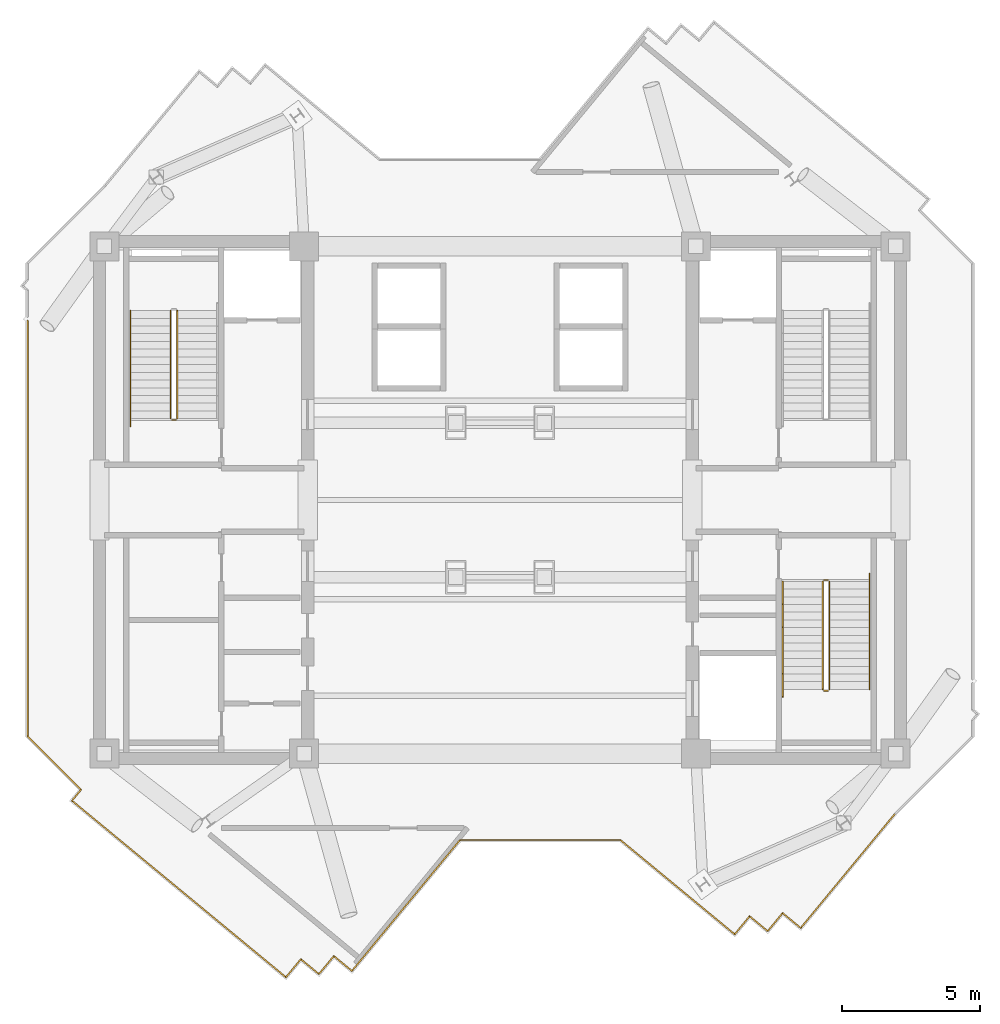
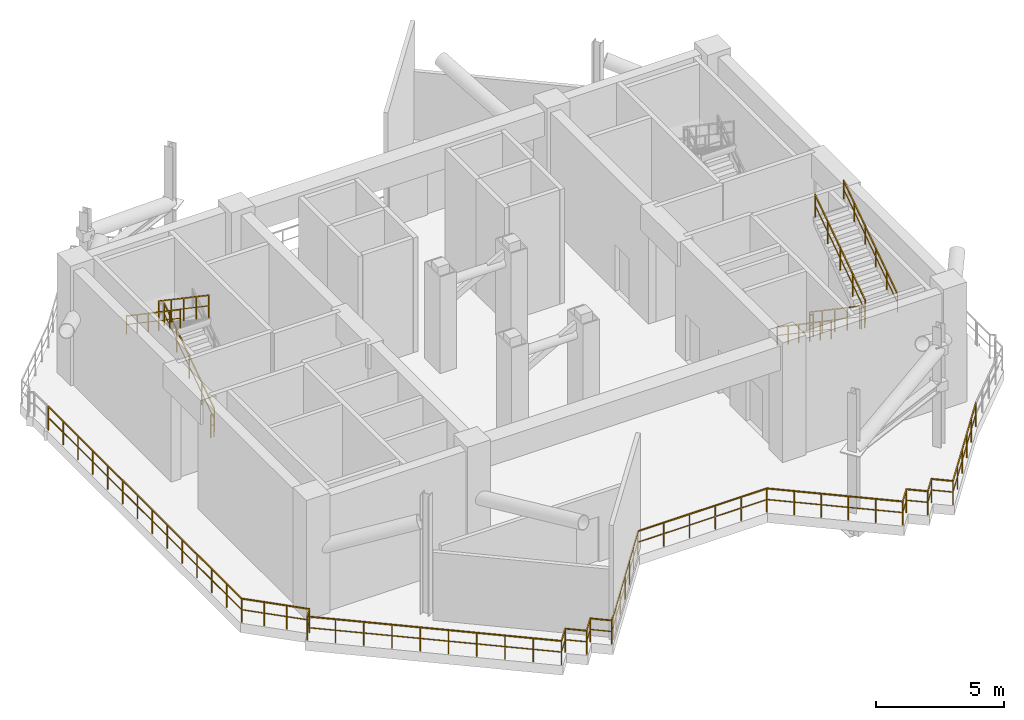
# One storey, part 5 of 7: 26 railings.
"""IFC4 building model written with IfcOpenShell, lengths in metres."""

from ifc_helpers import new_model, si_unit, direction, frame, origin, origin_2d, place, context, subcontext, project, spatial, rectangle, extrude, material, type_object, element, save


model = new_model("IFC4")

# Units and contexts
model_context = context("Model", 3, precision=1e-05, world=origin(), true_north=direction((0.0, 1.0)))
body_context = subcontext(model_context, "Body", "Model", "MODEL_VIEW")
ifc_project = project(units=[si_unit("LENGTHUNIT", "METRE"), si_unit("AREAUNIT", "SQUARE_METRE"), si_unit("VOLUMEUNIT", "CUBIC_METRE"), si_unit("PLANEANGLEUNIT", "RADIAN"), si_unit("MASSUNIT", "GRAM", prefix="KILO")], contexts=[model_context])

# Site, building, storey
site_placement = place(None, origin())
site = spatial("IfcSite", under=ifc_project, at=site_placement, CompositionType="ELEMENT")
building_placement = place(site_placement, origin())
building = spatial("IfcBuilding", under=site, at=building_placement, Name="Zahravan Cultural Tower", CompositionType="ELEMENT")
storey_placement = place(building_placement, frame((0.0, 0.0, 314.10009765625)))
storey = spatial("IfcBuildingStorey", under=building, at=storey_placement, Name="L76", CompositionType="ELEMENT", Elevation=314.10009765625)

# Railings
ifc_material = material(Name="Steel ASTM A572 Grade 50", Category="steel")
railing_type_1 = type_object("IfcRailingType", Name="RL-BAL-1150", PredefinedType="BALUSTRADE", material=ifc_material)
railing_1_placement = place(storey_placement, frame((50.32958984375, 15.628662109375, 0.0)))
element("IfcRailing", 1, at=railing_1_placement, inside=storey, type_object=railing_type_1, Name="L76 Edge Balustrade GRD-L76-SLOT-15", PredefinedType="BALUSTRADE", context=body_context, shape_type="SweptSolid", body=[
    extrude(rectangle(XDim=0.05, YDim=0.05, at=origin_2d()), frame((0.0, 0.0, 1.125), z_axis=(-0.63651320456, -0.771265804, 0.0), x_axis=(0.771265804, -0.63651320456, 0.0)), (0.0, 0.0, 1.0), 5.380859375),
    extrude(rectangle(XDim=0.032, YDim=0.032, at=origin_2d()), frame((0.0, 0.0, 0.597900390625), z_axis=(-0.63651320456, -0.771265804, 0.0), x_axis=(0.771265804, -0.63651320456, 0.0)), (0.0, 0.0, 1.0), 5.380859375),
    extrude(rectangle(XDim=0.04, YDim=0.04, at=origin_2d()), origin(), (0.0, 0.0, 1.0), 1.14990234375),
    extrude(rectangle(XDim=0.04, YDim=0.04, at=origin_2d()), frame((-0.68505859375, -0.830078125, 0.0)), (0.0, 0.0, 1.0), 1.14990234375),
    extrude(rectangle(XDim=0.04, YDim=0.04, at=origin_2d()), frame((-1.3701171875, -1.66015625, 0.0)), (0.0, 0.0, 1.0), 1.14990234375),
    extrude(rectangle(XDim=0.04, YDim=0.04, at=origin_2d()), frame((-2.054931640625, -2.489990234375, 0.0)), (0.0, 0.0, 1.0), 1.14990234375),
    extrude(rectangle(XDim=0.04, YDim=0.04, at=origin_2d()), frame((-2.739990234375, -3.320068359375, 0.0)), (0.0, 0.0, 1.0), 1.14990234375),
    extrude(rectangle(XDim=0.04, YDim=0.04, at=origin_2d()), frame((-3.425048828125, -4.150146484375, 0.0)), (0.0, 0.0, 1.0), 1.14990234375),
])
railing_2_placement = place(storey_placement, frame((46.904541015625, 11.478515625, 0.0)))
element("IfcRailing", 2, at=railing_2_placement, inside=storey, type_object=railing_type_1, Name="L76 Edge Balustrade GRD-L76-SLOT-16", PredefinedType="BALUSTRADE", context=body_context, shape_type="SweptSolid", body=[
    extrude(rectangle(XDim=0.05, YDim=0.05, at=origin_2d()), frame((0.0, 0.0, 1.125), z_axis=(-0.771249884828, 0.6365324934, 0.0), x_axis=(-0.6365324934, -0.771249884828, 0.0)), (0.0, 0.0, 1.0), 0.849853515625),
    extrude(rectangle(XDim=0.032, YDim=0.032, at=origin_2d()), frame((0.0, 0.0, 0.597900390625), z_axis=(-0.771249884828, 0.6365324934, 0.0), x_axis=(-0.6365324934, -0.771249884828, 0.0)), (0.0, 0.0, 1.0), 0.849853515625),
    extrude(rectangle(XDim=0.04, YDim=0.04, at=origin_2d()), origin(), (0.0, 0.0, 1.0), 1.14990234375),
    extrude(rectangle(XDim=0.04, YDim=0.04, at=origin_2d()), frame((-0.655517578125, 0.541015625, 0.0)), (0.0, 0.0, 1.0), 1.14990234375),
])
railing_3_placement = place(storey_placement, frame((46.2490234375, 12.01953125, 0.0)))
element("IfcRailing", 3, at=railing_3_placement, inside=storey, type_object=railing_type_1, Name="L76 Edge Balustrade GRD-L76-SLOT-17", PredefinedType="BALUSTRADE", context=body_context, shape_type="SweptSolid", body=[
    extrude(rectangle(XDim=0.05, YDim=0.05, at=origin_2d()), frame((0.0, 0.0, 1.125), z_axis=(-0.6365324934, -0.771249884828, 0.0), x_axis=(0.771249884828, -0.6365324934, 0.0)), (0.0, 0.0, 1.0), 0.849853515625),
    extrude(rectangle(XDim=0.032, YDim=0.032, at=origin_2d()), frame((0.0, 0.0, 0.597900390625), z_axis=(-0.6365324934, -0.771249884828, 0.0), x_axis=(0.771249884828, -0.6365324934, 0.0)), (0.0, 0.0, 1.0), 0.849853515625),
    extrude(rectangle(XDim=0.04, YDim=0.04, at=origin_2d()), origin(), (0.0, 0.0, 1.0), 1.14990234375),
    extrude(rectangle(XDim=0.04, YDim=0.04, at=origin_2d()), frame((-0.541015625, -0.655517578125, 0.0)), (0.0, 0.0, 1.0), 1.14990234375),
])
railing_4_placement = place(storey_placement, frame((45.7080078125, 11.364013671875, 0.0)))
element("IfcRailing", 4, at=railing_4_placement, inside=storey, type_object=railing_type_1, Name="L76 Edge Balustrade GRD-L76-SLOT-18", PredefinedType="BALUSTRADE", context=body_context, shape_type="SweptSolid", body=[
    extrude(rectangle(XDim=0.05, YDim=0.05, at=origin_2d()), frame((0.0, 0.0, 1.125), z_axis=(-0.771249884828, 0.6365324934, 0.0), x_axis=(-0.6365324934, -0.771249884828, 0.0)), (0.0, 0.0, 1.0), 0.849853515625),
    extrude(rectangle(XDim=0.032, YDim=0.032, at=origin_2d()), frame((0.0, 0.0, 0.597900390625), z_axis=(-0.771249884828, 0.6365324934, 0.0), x_axis=(-0.6365324934, -0.771249884828, 0.0)), (0.0, 0.0, 1.0), 0.849853515625),
    extrude(rectangle(XDim=0.04, YDim=0.04, at=origin_2d()), origin(), (0.0, 0.0, 1.0), 1.14990234375),
    extrude(rectangle(XDim=0.04, YDim=0.04, at=origin_2d()), frame((-0.655517578125, 0.541015625, 0.0)), (0.0, 0.0, 1.0), 1.14990234375),
])
railing_5_placement = place(storey_placement, frame((45.052490234375, 11.905029296875, 0.0)))
element("IfcRailing", 5, at=railing_5_placement, inside=storey, type_object=railing_type_1, Name="L76 Edge Balustrade GRD-L76-SLOT-19", PredefinedType="BALUSTRADE", context=body_context, shape_type="SweptSolid", body=[
    extrude(rectangle(XDim=0.05, YDim=0.05, at=origin_2d()), frame((0.0, 0.0, 1.125), z_axis=(-0.6367033068, -0.771108876301, 0.0), x_axis=(0.771108876301, -0.6367033068, 0.0)), (0.0, 0.0, 1.0), 0.85009765625),
    extrude(rectangle(XDim=0.032, YDim=0.032, at=origin_2d()), frame((0.0, 0.0, 0.597900390625), z_axis=(-0.6367033068, -0.771108876301, 0.0), x_axis=(0.771108876301, -0.6367033068, 0.0)), (0.0, 0.0, 1.0), 0.85009765625),
    extrude(rectangle(XDim=0.04, YDim=0.04, at=origin_2d()), origin(), (0.0, 0.0, 1.0), 1.14990234375),
    extrude(rectangle(XDim=0.04, YDim=0.04, at=origin_2d()), frame((-0.541259765625, -0.655517578125, 0.0)), (0.0, 0.0, 1.0), 1.14990234375),
])
railing_6_placement = place(storey_placement, frame((44.51123046875, 11.24951171875, 0.0)))
element("IfcRailing", 6, at=railing_6_placement, inside=storey, type_object=railing_type_1, Name="L76 Edge Balustrade GRD-L76-SLOT-20", PredefinedType="BALUSTRADE", context=body_context, shape_type="SweptSolid", body=[
    extrude(rectangle(XDim=0.05, YDim=0.05, at=origin_2d()), frame((0.0, 0.0, 1.125), z_axis=(-0.77126621599, 0.63651270535, 0.0), x_axis=(-0.63651270535, -0.77126621599, 0.0)), (0.0, 0.0, 1.0), 5.373779296875),
    extrude(rectangle(XDim=0.032, YDim=0.032, at=origin_2d()), frame((0.0, 0.0, 0.597900390625), z_axis=(-0.77126621599, 0.63651270535, 0.0), x_axis=(-0.63651270535, -0.77126621599, 0.0)), (0.0, 0.0, 1.0), 5.373779296875),
    extrude(rectangle(XDim=0.04, YDim=0.04, at=origin_2d()), origin(), (0.0, 0.0, 1.0), 1.14990234375),
    extrude(rectangle(XDim=0.04, YDim=0.04, at=origin_2d()), frame((-0.828857421875, 0.68408203125, 0.0)), (0.0, 0.0, 1.0), 1.14990234375),
    extrude(rectangle(XDim=0.04, YDim=0.04, at=origin_2d()), frame((-1.65771484375, 1.3681640625, 0.0)), (0.0, 0.0, 1.0), 1.14990234375),
    extrude(rectangle(XDim=0.04, YDim=0.04, at=origin_2d()), frame((-2.48681640625, 2.05224609375, 0.0)), (0.0, 0.0, 1.0), 1.14990234375),
    extrude(rectangle(XDim=0.04, YDim=0.04, at=origin_2d()), frame((-3.315673828125, 2.736328125, 0.0)), (0.0, 0.0, 1.0), 1.14990234375),
    extrude(rectangle(XDim=0.04, YDim=0.04, at=origin_2d()), frame((-4.14453125, 3.42041015625, 0.0)), (0.0, 0.0, 1.0), 1.14990234375),
])
railing_7_placement = place(storey_placement, frame((40.36669921875, 14.669921875, 0.0)))
element("IfcRailing", 7, at=railing_7_placement, inside=storey, type_object=railing_type_1, Name="L76 Edge Balustrade GRD-L76-SLOT-21", PredefinedType="BALUSTRADE", context=body_context, shape_type="SweptSolid", body=[
    extrude(rectangle(XDim=0.05, YDim=0.05, at=origin_2d()), frame((0.0, 0.0, 1.125), z_axis=(-1.0, 0.0, 0.0), x_axis=(0.0, -1.0, 0.0)), (0.0, 0.0, 1.0), 5.81689453125),
    extrude(rectangle(XDim=0.032, YDim=0.032, at=origin_2d()), frame((0.0, 0.0, 0.597900390625), z_axis=(-1.0, 0.0, 0.0), x_axis=(0.0, -1.0, 0.0)), (0.0, 0.0, 1.0), 5.81689453125),
    extrude(rectangle(XDim=0.04, YDim=0.04, at=origin_2d()), origin(), (0.0, 0.0, 1.0), 1.14990234375),
    extrude(rectangle(XDim=0.04, YDim=0.04, at=origin_2d()), frame((-1.163330078125, 0.0, 0.0)), (0.0, 0.0, 1.0), 1.14990234375),
    extrude(rectangle(XDim=0.04, YDim=0.04, at=origin_2d()), frame((-2.32666015625, 0.0, 0.0)), (0.0, 0.0, 1.0), 1.14990234375),
    extrude(rectangle(XDim=0.04, YDim=0.04, at=origin_2d()), frame((-3.490234375, 0.0, 0.0)), (0.0, 0.0, 1.0), 1.14990234375),
    extrude(rectangle(XDim=0.04, YDim=0.04, at=origin_2d()), frame((-4.653564453125, 0.0, 0.0)), (0.0, 0.0, 1.0), 1.14990234375),
    extrude(rectangle(XDim=0.04, YDim=0.04, at=origin_2d()), frame((-5.81689453125, 0.0, 0.0)), (0.0, 0.0, 1.0), 1.14990234375),
])
railing_8_placement = place(storey_placement, frame((34.5498046875, 14.669921875, 0.0)))
element("IfcRailing", 8, at=railing_8_placement, inside=storey, type_object=railing_type_1, Name="L76 Edge Balustrade GRD-L76-SLOT-22", PredefinedType="BALUSTRADE", context=body_context, shape_type="SweptSolid", body=[
    extrude(rectangle(XDim=0.05, YDim=0.05, at=origin_2d()), frame((0.0, 0.0, 1.125), z_axis=(-0.636503268707, -0.771274003792, 0.0), x_axis=(0.771274003792, -0.636503268707, 0.0)), (0.0, 0.0, 1.0), 6.157470703125),
    extrude(rectangle(XDim=0.032, YDim=0.032, at=origin_2d()), frame((0.0, 0.0, 0.597900390625), z_axis=(-0.636503268707, -0.771274003792, 0.0), x_axis=(0.771274003792, -0.636503268707, 0.0)), (0.0, 0.0, 1.0), 6.157470703125),
    extrude(rectangle(XDim=0.04, YDim=0.04, at=origin_2d()), origin(), (0.0, 0.0, 1.0), 1.14990234375),
    extrude(rectangle(XDim=0.04, YDim=0.04, at=origin_2d()), frame((-0.6533203125, -0.79150390625, 0.0)), (0.0, 0.0, 1.0), 1.14990234375),
    extrude(rectangle(XDim=0.04, YDim=0.04, at=origin_2d()), frame((-1.306396484375, -1.5830078125, 0.0)), (0.0, 0.0, 1.0), 1.14990234375),
    extrude(rectangle(XDim=0.04, YDim=0.04, at=origin_2d()), frame((-1.95947265625, -2.37451171875, 0.0)), (0.0, 0.0, 1.0), 1.14990234375),
    extrude(rectangle(XDim=0.04, YDim=0.04, at=origin_2d()), frame((-2.61279296875, -3.166015625, 0.0)), (0.0, 0.0, 1.0), 1.14990234375),
    extrude(rectangle(XDim=0.04, YDim=0.04, at=origin_2d()), frame((-3.26611328125, -3.95751953125, 0.0)), (0.0, 0.0, 1.0), 1.14990234375),
    extrude(rectangle(XDim=0.04, YDim=0.04, at=origin_2d()), frame((-3.919189453125, -4.7490234375, 0.0)), (0.0, 0.0, 1.0), 1.14990234375),
])
railing_9_placement = place(storey_placement, frame((30.630615234375, 9.9208984375, 0.0)))
element("IfcRailing", 9, at=railing_9_placement, inside=storey, type_object=railing_type_1, Name="L76 Edge Balustrade GRD-L76-SLOT-23", PredefinedType="BALUSTRADE", context=body_context, shape_type="SweptSolid", body=[
    extrude(rectangle(XDim=0.05, YDim=0.05, at=origin_2d()), frame((0.0, 0.0, 1.125), z_axis=(-0.771108876301, 0.6367033068, 0.0), x_axis=(-0.6367033068, -0.771108876301, 0.0)), (0.0, 0.0, 1.0), 0.85009765625),
    extrude(rectangle(XDim=0.032, YDim=0.032, at=origin_2d()), frame((0.0, 0.0, 0.597900390625), z_axis=(-0.771108876301, 0.6367033068, 0.0), x_axis=(-0.6367033068, -0.771108876301, 0.0)), (0.0, 0.0, 1.0), 0.85009765625),
    extrude(rectangle(XDim=0.04, YDim=0.04, at=origin_2d()), origin(), (0.0, 0.0, 1.0), 1.14990234375),
    extrude(rectangle(XDim=0.04, YDim=0.04, at=origin_2d()), frame((-0.655517578125, 0.541259765625, 0.0)), (0.0, 0.0, 1.0), 1.14990234375),
])
railing_10_placement = place(storey_placement, frame((29.97509765625, 10.462158203125, 0.0)))
element("IfcRailing", 10, at=railing_10_placement, inside=storey, type_object=railing_type_1, Name="L76 Edge Balustrade GRD-L76-SLOT-24", PredefinedType="BALUSTRADE", context=body_context, shape_type="SweptSolid", body=[
    extrude(rectangle(XDim=0.05, YDim=0.05, at=origin_2d()), frame((0.0, 0.0, 1.125), z_axis=(-0.63639149861, -0.771366229814, 0.0), x_axis=(0.771366229814, -0.63639149861, 0.0)), (0.0, 0.0, 1.0), 0.85009765625),
    extrude(rectangle(XDim=0.032, YDim=0.032, at=origin_2d()), frame((0.0, 0.0, 0.597900390625), z_axis=(-0.63639149861, -0.771366229814, 0.0), x_axis=(0.771366229814, -0.63639149861, 0.0)), (0.0, 0.0, 1.0), 0.85009765625),
    extrude(rectangle(XDim=0.04, YDim=0.04, at=origin_2d()), origin(), (0.0, 0.0, 1.0), 1.14990234375),
    extrude(rectangle(XDim=0.04, YDim=0.04, at=origin_2d()), frame((-0.541015625, -0.65576171875, 0.0)), (0.0, 0.0, 1.0), 1.14990234375),
])
railing_11_placement = place(storey_placement, frame((29.43408203125, 9.806396484375, 0.0)))
element("IfcRailing", 11, at=railing_11_placement, inside=storey, type_object=railing_type_1, Name="L76 Edge Balustrade GRD-L76-SLOT-25", PredefinedType="BALUSTRADE", context=body_context, shape_type="SweptSolid", body=[
    extrude(rectangle(XDim=0.05, YDim=0.05, at=origin_2d()), frame((0.0, 0.0, 1.125), z_axis=(-0.771366229814, 0.63639149861, 0.0), x_axis=(-0.63639149861, -0.771366229814, 0.0)), (0.0, 0.0, 1.0), 0.85009765625),
    extrude(rectangle(XDim=0.032, YDim=0.032, at=origin_2d()), frame((0.0, 0.0, 0.597900390625), z_axis=(-0.771366229814, 0.63639149861, 0.0), x_axis=(-0.63639149861, -0.771366229814, 0.0)), (0.0, 0.0, 1.0), 0.85009765625),
    extrude(rectangle(XDim=0.04, YDim=0.04, at=origin_2d()), origin(), (0.0, 0.0, 1.0), 1.14990234375),
    extrude(rectangle(XDim=0.04, YDim=0.04, at=origin_2d()), frame((-0.65576171875, 0.541015625, 0.0)), (0.0, 0.0, 1.0), 1.14990234375),
])
railing_12_placement = place(storey_placement, frame((28.7783203125, 10.347412109375, 0.0)))
element("IfcRailing", 12, at=railing_12_placement, inside=storey, type_object=railing_type_1, Name="L76 Edge Balustrade GRD-L76-SLOT-26", PredefinedType="BALUSTRADE", context=body_context, shape_type="SweptSolid", body=[
    extrude(rectangle(XDim=0.05, YDim=0.05, at=origin_2d()), frame((0.0, 0.0, 1.125), z_axis=(-0.6365324934, -0.771249884828, 0.0), x_axis=(0.771249884828, -0.6365324934, 0.0)), (0.0, 0.0, 1.0), 0.849853515625),
    extrude(rectangle(XDim=0.032, YDim=0.032, at=origin_2d()), frame((0.0, 0.0, 0.597900390625), z_axis=(-0.6365324934, -0.771249884828, 0.0), x_axis=(0.771249884828, -0.6365324934, 0.0)), (0.0, 0.0, 1.0), 0.849853515625),
    extrude(rectangle(XDim=0.04, YDim=0.04, at=origin_2d()), origin(), (0.0, 0.0, 1.0), 1.14990234375),
    extrude(rectangle(XDim=0.04, YDim=0.04, at=origin_2d()), frame((-0.541015625, -0.655517578125, 0.0)), (0.0, 0.0, 1.0), 1.14990234375),
])
railing_13_placement = place(storey_placement, frame((28.2373046875, 9.69189453125, 0.0)))
element("IfcRailing", 13, at=railing_13_placement, inside=storey, type_object=railing_type_1, Name="L76 Edge Balustrade GRD-L76-SLOT-27", PredefinedType="BALUSTRADE", context=body_context, shape_type="SweptSolid", body=[
    extrude(rectangle(XDim=0.05, YDim=0.05, at=origin_2d()), frame((0.0, 0.0, 1.125), z_axis=(-0.771248176492, 0.636534563286, 0.0), x_axis=(-0.636534563286, -0.771248176492, 0.0)), (0.0, 0.0, 1.0), 10.06005859375),
    extrude(rectangle(XDim=0.032, YDim=0.032, at=origin_2d()), frame((0.0, 0.0, 0.597900390625), z_axis=(-0.771248176492, 0.636534563286, 0.0), x_axis=(-0.636534563286, -0.771248176492, 0.0)), (0.0, 0.0, 1.0), 10.06005859375),
    extrude(rectangle(XDim=0.04, YDim=0.04, at=origin_2d()), origin(), (0.0, 0.0, 1.0), 1.14990234375),
    extrude(rectangle(XDim=0.04, YDim=0.04, at=origin_2d()), frame((-0.862060546875, 0.71142578125, 0.0)), (0.0, 0.0, 1.0), 1.14990234375),
    extrude(rectangle(XDim=0.04, YDim=0.04, at=origin_2d()), frame((-1.72412109375, 1.423095703125, 0.0)), (0.0, 0.0, 1.0), 1.14990234375),
    extrude(rectangle(XDim=0.04, YDim=0.04, at=origin_2d()), frame((-2.586181640625, 2.134521484375, 0.0)), (0.0, 0.0, 1.0), 1.14990234375),
    extrude(rectangle(XDim=0.04, YDim=0.04, at=origin_2d()), frame((-3.4482421875, 2.845947265625, 0.0)), (0.0, 0.0, 1.0), 1.14990234375),
    extrude(rectangle(XDim=0.04, YDim=0.04, at=origin_2d()), frame((-4.310546875, 3.5576171875, 0.0)), (0.0, 0.0, 1.0), 1.14990234375),
    extrude(rectangle(XDim=0.04, YDim=0.04, at=origin_2d()), frame((-5.172607421875, 4.26904296875, 0.0)), (0.0, 0.0, 1.0), 1.14990234375),
    extrude(rectangle(XDim=0.04, YDim=0.04, at=origin_2d()), frame((-6.03466796875, 4.98046875, 0.0)), (0.0, 0.0, 1.0), 1.14990234375),
    extrude(rectangle(XDim=0.04, YDim=0.04, at=origin_2d()), frame((-6.896728515625, 5.692138671875, 0.0)), (0.0, 0.0, 1.0), 1.14990234375),
    extrude(rectangle(XDim=0.04, YDim=0.04, at=origin_2d()), frame((-7.7587890625, 6.403564453125, 0.0)), (0.0, 0.0, 1.0), 1.14990234375),
])
railing_14_placement = place(storey_placement, frame((20.478515625, 16.095458984375, 0.0)))
element("IfcRailing", 14, at=railing_14_placement, inside=storey, type_object=railing_type_1, Name="L76 Edge Balustrade GRD-L76-SLOT-28", PredefinedType="BALUSTRADE", context=body_context, shape_type="SweptSolid", body=[
    extrude(rectangle(XDim=0.05, YDim=0.05, at=origin_2d()), frame((0.0, 0.0, 1.125), z_axis=(0.636587411676, 0.771204556066, 0.0), x_axis=(-0.771204556066, 0.636587411676, 0.0)), (0.0, 0.0, 1.0), 0.51513671875),
    extrude(rectangle(XDim=0.032, YDim=0.032, at=origin_2d()), frame((0.0, 0.0, 0.597900390625), z_axis=(0.636587411676, 0.771204556066, 0.0), x_axis=(-0.771204556066, 0.636587411676, 0.0)), (0.0, 0.0, 1.0), 0.51513671875),
    extrude(rectangle(XDim=0.04, YDim=0.04, at=origin_2d()), origin(), (0.0, 0.0, 1.0), 1.14990234375),
    extrude(rectangle(XDim=0.04, YDim=0.04, at=origin_2d()), frame((0.327880859375, 0.397216796875, 0.0)), (0.0, 0.0, 1.0), 1.14990234375),
])
railing_15_placement = place(storey_placement, frame((20.806396484375, 16.49267578125, 0.0)))
element("IfcRailing", 15, at=railing_15_placement, inside=storey, type_object=railing_type_1, Name="L76 Edge Balustrade GRD-L76-SLOT-29", PredefinedType="BALUSTRADE", context=body_context, shape_type="SweptSolid", body=[
    extrude(rectangle(XDim=0.05, YDim=0.05, at=origin_2d()), frame((0.0, 0.0, 1.125), z_axis=(-0.707106781187, 0.707106781187, 0.0), x_axis=(-0.707106781187, -0.707106781187, 0.0)), (0.0, 0.0, 1.0), 2.73828125),
    extrude(rectangle(XDim=0.032, YDim=0.032, at=origin_2d()), frame((0.0, 0.0, 0.597900390625), z_axis=(-0.707106781187, 0.707106781187, 0.0), x_axis=(-0.707106781187, -0.707106781187, 0.0)), (0.0, 0.0, 1.0), 2.73828125),
    extrude(rectangle(XDim=0.04, YDim=0.04, at=origin_2d()), origin(), (0.0, 0.0, 1.0), 1.14990234375),
    extrude(rectangle(XDim=0.04, YDim=0.04, at=origin_2d()), frame((-0.6455078125, 0.6455078125, 0.0)), (0.0, 0.0, 1.0), 1.14990234375),
    extrude(rectangle(XDim=0.04, YDim=0.04, at=origin_2d()), frame((-1.290771484375, 1.290771484375, 0.0)), (0.0, 0.0, 1.0), 1.14990234375),
    extrude(rectangle(XDim=0.04, YDim=0.04, at=origin_2d()), frame((-1.936279296875, 1.936279296875, 0.0)), (0.0, 0.0, 1.0), 1.14990234375),
])
railing_16_placement = place(storey_placement, frame((18.8701171875, 18.428955078125, 0.0)))
element("IfcRailing", 16, at=railing_16_placement, inside=storey, type_object=railing_type_1, Name="L76 Edge Balustrade GRD-L76-SLOT-30", PredefinedType="BALUSTRADE", context=body_context, shape_type="SweptSolid", body=[
    extrude(rectangle(XDim=0.05, YDim=0.05, at=origin_2d()), frame((0.0, 0.0, 1.125), z_axis=(0.0, 1.0, 0.0), x_axis=(-1.0, 0.0, 0.0)), (0.0, 0.0, 1.0), 15.084716796875),
    extrude(rectangle(XDim=0.032, YDim=0.032, at=origin_2d()), frame((0.0, 0.0, 0.597900390625), z_axis=(0.0, 1.0, 0.0), x_axis=(-1.0, 0.0, 0.0)), (0.0, 0.0, 1.0), 15.084716796875),
    extrude(rectangle(XDim=0.04, YDim=0.04, at=origin_2d()), origin(), (0.0, 0.0, 1.0), 1.14990234375),
    extrude(rectangle(XDim=0.04, YDim=0.04, at=origin_2d()), frame((0.0, 1.160400390625, 0.0)), (0.0, 0.0, 1.0), 1.14990234375),
    extrude(rectangle(XDim=0.04, YDim=0.04, at=origin_2d()), frame((0.0, 2.32080078125, 0.0)), (0.0, 0.0, 1.0), 1.14990234375),
    extrude(rectangle(XDim=0.04, YDim=0.04, at=origin_2d()), frame((0.0, 3.481201171875, 0.0)), (0.0, 0.0, 1.0), 1.14990234375),
    extrude(rectangle(XDim=0.04, YDim=0.04, at=origin_2d()), frame((0.0, 4.641357421875, 0.0)), (0.0, 0.0, 1.0), 1.14990234375),
    extrude(rectangle(XDim=0.04, YDim=0.04, at=origin_2d()), frame((0.0, 5.8017578125, 0.0)), (0.0, 0.0, 1.0), 1.14990234375),
    extrude(rectangle(XDim=0.04, YDim=0.04, at=origin_2d()), frame((0.0, 6.962158203125, 0.0)), (0.0, 0.0, 1.0), 1.14990234375),
    extrude(rectangle(XDim=0.04, YDim=0.04, at=origin_2d()), frame((0.0, 8.12255859375, 0.0)), (0.0, 0.0, 1.0), 1.14990234375),
    extrude(rectangle(XDim=0.04, YDim=0.04, at=origin_2d()), frame((0.0, 9.282958984375, 0.0)), (0.0, 0.0, 1.0), 1.14990234375),
    extrude(rectangle(XDim=0.04, YDim=0.04, at=origin_2d()), frame((0.0, 10.443359375, 0.0)), (0.0, 0.0, 1.0), 1.14990234375),
    extrude(rectangle(XDim=0.04, YDim=0.04, at=origin_2d()), frame((0.0, 11.603515625, 0.0)), (0.0, 0.0, 1.0), 1.14990234375),
    extrude(rectangle(XDim=0.04, YDim=0.04, at=origin_2d()), frame((0.0, 12.763916015625, 0.0)), (0.0, 0.0, 1.0), 1.14990234375),
    extrude(rectangle(XDim=0.04, YDim=0.04, at=origin_2d()), frame((0.0, 13.92431640625, 0.0)), (0.0, 0.0, 1.0), 1.14990234375),
    extrude(rectangle(XDim=0.04, YDim=0.04, at=origin_2d()), frame((0.0, 15.084716796875, 0.0)), (0.0, 0.0, 1.0), 1.14990234375),
])
railing_type_2 = type_object("IfcRailingType", Name="RL-STAIR-GRD1150", PredefinedType="BALUSTRADE", material=ifc_material)
railing_17_placement = place(storey_placement, frame((24.300048828125, 29.949951171875, 0.18994140625)))
element("IfcRailing", 17, at=railing_17_placement, inside=storey, type_object=railing_type_2, Name="L76 ST-W1 stair guard 1", PredefinedType="BALUSTRADE", context=body_context, shape_type="SweptSolid", body=[
    extrude(rectangle(XDim=0.05, YDim=0.05, at=origin_2d()), frame((0.0, 0.0, 1.0751953125), z_axis=(0.0, 0.827495442652, 0.56147243244), x_axis=(-1.0, 0.0, 0.0)), (0.0, 0.0, 1.0), 4.7373046875),
    extrude(rectangle(XDim=0.032, YDim=0.032, at=origin_2d()), frame((0.0, 0.0, 0.572021484375), z_axis=(0.0, 0.827495442652, 0.56147243244), x_axis=(-1.0, 0.0, 0.0)), (0.0, 0.0, 1.0), 4.7373046875),
    extrude(rectangle(XDim=0.04, YDim=0.04, at=origin_2d()), origin(), (0.0, 0.0, 1.0), 1.10009765625),
    extrude(rectangle(XDim=0.04, YDim=0.04, at=origin_2d()), frame((0.0, 0.97998046875, 0.6650390625)), (0.0, 0.0, 1.0), 1.10009765625),
    extrude(rectangle(XDim=0.04, YDim=0.04, at=origin_2d()), frame((0.0, 1.9599609375, 1.330078125)), (0.0, 0.0, 1.0), 1.10009765625),
    extrude(rectangle(XDim=0.04, YDim=0.04, at=origin_2d()), frame((0.0, 2.940185546875, 1.994873046875)), (0.0, 0.0, 1.0), 1.10009765625),
    extrude(rectangle(XDim=0.04, YDim=0.04, at=origin_2d()), frame((0.0, 3.920166015625, 2.659912109375)), (0.0, 0.0, 1.0), 1.10009765625),
])
railing_18_placement = place(storey_placement, frame((24.050048828125, 33.8701171875, 3.039794921875)))
element("IfcRailing", 18, at=railing_18_placement, inside=storey, type_object=railing_type_2, Name="L76 ST-W1 stair guard 3", PredefinedType="BALUSTRADE", context=body_context, shape_type="SweptSolid", body=[
    extrude(rectangle(XDim=0.05, YDim=0.05, at=origin_2d()), frame((0.0, 0.0, 1.0751953125), z_axis=(0.0, -0.827471498672, 0.561507719346), x_axis=(1.0, 0.0, 0.0)), (0.0, 0.0, 1.0), 4.737548828125),
    extrude(rectangle(XDim=0.032, YDim=0.032, at=origin_2d()), frame((0.0, 0.0, 0.572021484375), z_axis=(0.0, -0.827471498672, 0.561507719346), x_axis=(1.0, 0.0, 0.0)), (0.0, 0.0, 1.0), 4.737548828125),
    extrude(rectangle(XDim=0.04, YDim=0.04, at=origin_2d()), origin(), (0.0, 0.0, 1.0), 1.10009765625),
    extrude(rectangle(XDim=0.04, YDim=0.04, at=origin_2d()), frame((0.0, -0.97998046875, 0.6650390625)), (0.0, 0.0, 1.0), 1.10009765625),
    extrude(rectangle(XDim=0.04, YDim=0.04, at=origin_2d()), frame((0.0, -1.9599609375, 1.330078125)), (0.0, 0.0, 1.0), 1.10009765625),
    extrude(rectangle(XDim=0.04, YDim=0.04, at=origin_2d()), frame((0.0, -2.940185546875, 1.9951171875)), (0.0, 0.0, 1.0), 1.10009765625),
    extrude(rectangle(XDim=0.04, YDim=0.04, at=origin_2d()), frame((0.0, -3.920166015625, 2.66015625)), (0.0, 0.0, 1.0), 1.10009765625),
])
railing_19_placement = place(storey_placement, frame((24.25, 29.89990234375, 0.0)))
element("IfcRailing", 19, at=railing_19_placement, inside=storey, type_object=railing_type_2, Name="L76 ST-W1 stair guard 4", PredefinedType="BALUSTRADE", context=body_context, shape_type="SweptSolid", body=[
    extrude(rectangle(XDim=0.05, YDim=0.05, at=origin_2d()), frame((0.0, 0.0, 1.0751953125), z_axis=(-1.0, 0.0, 0.0), x_axis=(0.0, -1.0, 0.0)), (0.0, 0.0, 1.0), 0.14990234375),
    extrude(rectangle(XDim=0.032, YDim=0.032, at=origin_2d()), frame((0.0, 0.0, 0.572021484375), z_axis=(-1.0, 0.0, 0.0), x_axis=(0.0, -1.0, 0.0)), (0.0, 0.0, 1.0), 0.14990234375),
    extrude(rectangle(XDim=0.04, YDim=0.04, at=origin_2d()), origin(), (0.0, 0.0, 1.0), 1.10009765625),
    extrude(rectangle(XDim=0.04, YDim=0.04, at=origin_2d()), frame((-0.14990234375, 0.0, 0.0)), (0.0, 0.0, 1.0), 1.10009765625),
])
railing_20_placement = place(storey_placement, frame((47.699951171875, 24.050048828125, 0.18994140625)))
element("IfcRailing", 20, at=railing_20_placement, inside=storey, type_object=railing_type_2, Name="L76 ST-E2 stair guard 1", PredefinedType="BALUSTRADE", context=body_context, shape_type="SweptSolid", body=[
    extrude(rectangle(XDim=0.05, YDim=0.05, at=origin_2d()), frame((0.0, 0.0, 1.0751953125), z_axis=(0.0, -0.827495442652, 0.56147243244), x_axis=(1.0, 0.0, 0.0)), (0.0, 0.0, 1.0), 4.7373046875),
    extrude(rectangle(XDim=0.032, YDim=0.032, at=origin_2d()), frame((0.0, 0.0, 0.572021484375), z_axis=(0.0, -0.827495442652, 0.56147243244), x_axis=(1.0, 0.0, 0.0)), (0.0, 0.0, 1.0), 4.7373046875),
    extrude(rectangle(XDim=0.04, YDim=0.04, at=origin_2d()), origin(), (0.0, 0.0, 1.0), 1.10009765625),
    extrude(rectangle(XDim=0.04, YDim=0.04, at=origin_2d()), frame((0.0, -0.97998046875, 0.6650390625)), (0.0, 0.0, 1.0), 1.10009765625),
    extrude(rectangle(XDim=0.04, YDim=0.04, at=origin_2d()), frame((0.0, -1.9599609375, 1.330078125)), (0.0, 0.0, 1.0), 1.10009765625),
    extrude(rectangle(XDim=0.04, YDim=0.04, at=origin_2d()), frame((0.0, -2.940185546875, 1.994873046875)), (0.0, 0.0, 1.0), 1.10009765625),
    extrude(rectangle(XDim=0.04, YDim=0.04, at=origin_2d()), frame((0.0, -3.920166015625, 2.659912109375)), (0.0, 0.0, 1.0), 1.10009765625),
])
railing_21_placement = place(storey_placement, frame((47.75, 20.080078125, 2.849853515625)))
element("IfcRailing", 21, at=railing_21_placement, inside=storey, type_object=railing_type_2, Name="L76 ST-E2 stair guard 2", PredefinedType="BALUSTRADE", context=body_context, shape_type="SweptSolid", body=[
    extrude(rectangle(XDim=0.05, YDim=0.05, at=origin_2d()), frame((0.0, 0.0, 1.0751953125), z_axis=(1.0, 0.0, 0.0), x_axis=(0.0, 1.0, 0.0)), (0.0, 0.0, 1.0), 0.14990234375),
    extrude(rectangle(XDim=0.032, YDim=0.032, at=origin_2d()), frame((0.0, 0.0, 0.572021484375), z_axis=(1.0, 0.0, 0.0), x_axis=(0.0, 1.0, 0.0)), (0.0, 0.0, 1.0), 0.14990234375),
    extrude(rectangle(XDim=0.04, YDim=0.04, at=origin_2d()), origin(), (0.0, 0.0, 1.0), 1.10009765625),
    extrude(rectangle(XDim=0.04, YDim=0.04, at=origin_2d()), frame((0.14990234375, 0.0, 0.0)), (0.0, 0.0, 1.0), 1.10009765625),
])
railing_22_placement = place(storey_placement, frame((47.949951171875, 20.1298828125, 3.039794921875)))
element("IfcRailing", 22, at=railing_22_placement, inside=storey, type_object=railing_type_2, Name="L76 ST-E2 stair guard 3", PredefinedType="BALUSTRADE", context=body_context, shape_type="SweptSolid", body=[
    extrude(rectangle(XDim=0.05, YDim=0.05, at=origin_2d()), frame((0.0, 0.0, 1.0751953125), z_axis=(0.0, 0.827471498672, 0.561507719346), x_axis=(-1.0, 0.0, 0.0)), (0.0, 0.0, 1.0), 4.737548828125),
    extrude(rectangle(XDim=0.032, YDim=0.032, at=origin_2d()), frame((0.0, 0.0, 0.572021484375), z_axis=(0.0, 0.827471498672, 0.561507719346), x_axis=(-1.0, 0.0, 0.0)), (0.0, 0.0, 1.0), 4.737548828125),
    extrude(rectangle(XDim=0.04, YDim=0.04, at=origin_2d()), origin(), (0.0, 0.0, 1.0), 1.10009765625),
    extrude(rectangle(XDim=0.04, YDim=0.04, at=origin_2d()), frame((0.0, 0.97998046875, 0.6650390625)), (0.0, 0.0, 1.0), 1.10009765625),
    extrude(rectangle(XDim=0.04, YDim=0.04, at=origin_2d()), frame((0.0, 1.9599609375, 1.330078125)), (0.0, 0.0, 1.0), 1.10009765625),
    extrude(rectangle(XDim=0.04, YDim=0.04, at=origin_2d()), frame((0.0, 2.940185546875, 1.9951171875)), (0.0, 0.0, 1.0), 1.10009765625),
    extrude(rectangle(XDim=0.04, YDim=0.04, at=origin_2d()), frame((0.0, 3.920166015625, 2.66015625)), (0.0, 0.0, 1.0), 1.10009765625),
])
railing_23_placement = place(storey_placement, frame((47.75, 24.10009765625, 0.0)))
element("IfcRailing", 23, at=railing_23_placement, inside=storey, type_object=railing_type_2, Name="L76 ST-E2 stair guard 4", PredefinedType="BALUSTRADE", context=body_context, shape_type="SweptSolid", body=[
    extrude(rectangle(XDim=0.05, YDim=0.05, at=origin_2d()), frame((0.0, 0.0, 1.0751953125), z_axis=(1.0, 0.0, 0.0), x_axis=(0.0, 1.0, 0.0)), (0.0, 0.0, 1.0), 0.14990234375),
    extrude(rectangle(XDim=0.032, YDim=0.032, at=origin_2d()), frame((0.0, 0.0, 0.572021484375), z_axis=(1.0, 0.0, 0.0), x_axis=(0.0, 1.0, 0.0)), (0.0, 0.0, 1.0), 0.14990234375),
    extrude(rectangle(XDim=0.04, YDim=0.04, at=origin_2d()), origin(), (0.0, 0.0, 1.0), 1.10009765625),
    extrude(rectangle(XDim=0.04, YDim=0.04, at=origin_2d()), frame((0.14990234375, 0.0, 0.0)), (0.0, 0.0, 1.0), 1.10009765625),
])
railing_type_3 = type_object("IfcRailingType", Name="RL-STAIR-HR900", PredefinedType="HANDRAIL", material=ifc_material)
railing_24_placement = place(storey_placement, frame((22.60009765625, 33.8701171875, 3.039794921875)))
element("IfcRailing", 24, at=railing_24_placement, inside=storey, type_object=railing_type_3, Name="L76 ST-W1 stair handrail 2", PredefinedType="HANDRAIL", context=body_context, shape_type="SweptSolid", body=[
    extrude(rectangle(XDim=0.05, YDim=0.05, at=origin_2d()), frame((0.0, 0.0, 0.875), z_axis=(0.0, -0.827478966913, 0.56149671354), x_axis=(1.0, 0.0, 0.0)), (0.0, 0.0, 1.0), 5.075927734375),
    extrude(rectangle(XDim=0.032, YDim=0.032, at=origin_2d()), frame((0.0, 0.0, 0.468017578125), z_axis=(0.0, -0.827478966913, 0.56149671354), x_axis=(1.0, 0.0, 0.0)), (0.0, 0.0, 1.0), 5.075927734375),
    extrude(rectangle(XDim=0.04, YDim=0.04, at=origin_2d()), origin(), (0.0, 0.0, 1.0), 0.89990234375),
    extrude(rectangle(XDim=0.04, YDim=0.04, at=origin_2d()), frame((0.0, -0.840087890625, 0.570068359375)), (0.0, 0.0, 1.0), 0.89990234375),
    extrude(rectangle(XDim=0.04, YDim=0.04, at=origin_2d()), frame((0.0, -1.68017578125, 1.14013671875)), (0.0, 0.0, 1.0), 0.89990234375),
    extrude(rectangle(XDim=0.04, YDim=0.04, at=origin_2d()), frame((0.0, -2.52001953125, 1.7099609375)), (0.0, 0.0, 1.0), 0.89990234375),
    extrude(rectangle(XDim=0.04, YDim=0.04, at=origin_2d()), frame((0.0, -3.360107421875, 2.280029296875)), (0.0, 0.0, 1.0), 0.89990234375),
    extrude(rectangle(XDim=0.04, YDim=0.04, at=origin_2d()), frame((0.0, -4.2001953125, 2.85009765625)), (0.0, 0.0, 1.0), 0.89990234375),
])
railing_25_placement = place(storey_placement, frame((46.25, 24.050048828125, 0.18994140625)))
element("IfcRailing", 25, at=railing_25_placement, inside=storey, type_object=railing_type_3, Name="L76 ST-E2 stair handrail 1", PredefinedType="HANDRAIL", context=body_context, shape_type="SweptSolid", body=[
    extrude(rectangle(XDim=0.05, YDim=0.05, at=origin_2d()), frame((0.0, 0.0, 0.875), z_axis=(0.0, -0.827486150682, 0.561486126659), x_axis=(1.0, 0.0, 0.0)), (0.0, 0.0, 1.0), 5.075439453125),
    extrude(rectangle(XDim=0.032, YDim=0.032, at=origin_2d()), frame((0.0, 0.0, 0.468017578125), z_axis=(0.0, -0.827486150682, 0.561486126659), x_axis=(1.0, 0.0, 0.0)), (0.0, 0.0, 1.0), 5.075439453125),
    extrude(rectangle(XDim=0.04, YDim=0.04, at=origin_2d()), origin(), (0.0, 0.0, 1.0), 0.89990234375),
    extrude(rectangle(XDim=0.04, YDim=0.04, at=origin_2d()), frame((0.0, -0.840087890625, 0.570068359375)), (0.0, 0.0, 1.0), 0.89990234375),
    extrude(rectangle(XDim=0.04, YDim=0.04, at=origin_2d()), frame((0.0, -1.679931640625, 1.139892578125)), (0.0, 0.0, 1.0), 0.89990234375),
    extrude(rectangle(XDim=0.04, YDim=0.04, at=origin_2d()), frame((0.0, -2.52001953125, 1.7099609375)), (0.0, 0.0, 1.0), 0.89990234375),
    extrude(rectangle(XDim=0.04, YDim=0.04, at=origin_2d()), frame((0.0, -3.35986328125, 2.27978515625)), (0.0, 0.0, 1.0), 0.89990234375),
    extrude(rectangle(XDim=0.04, YDim=0.04, at=origin_2d()), frame((0.0, -4.199951171875, 2.849853515625)), (0.0, 0.0, 1.0), 0.89990234375),
])
railing_26_placement = place(storey_placement, frame((49.39990234375, 20.1298828125, 3.039794921875)))
element("IfcRailing", 26, at=railing_26_placement, inside=storey, type_object=railing_type_3, Name="L76 ST-E2 stair handrail 2", PredefinedType="HANDRAIL", context=body_context, shape_type="SweptSolid", body=[
    extrude(rectangle(XDim=0.05, YDim=0.05, at=origin_2d()), frame((0.0, 0.0, 0.875), z_axis=(0.0, 0.827478966913, 0.56149671354), x_axis=(-1.0, 0.0, 0.0)), (0.0, 0.0, 1.0), 5.075927734375),
    extrude(rectangle(XDim=0.032, YDim=0.032, at=origin_2d()), frame((0.0, 0.0, 0.468017578125), z_axis=(0.0, 0.827478966913, 0.56149671354), x_axis=(-1.0, 0.0, 0.0)), (0.0, 0.0, 1.0), 5.075927734375),
    extrude(rectangle(XDim=0.04, YDim=0.04, at=origin_2d()), origin(), (0.0, 0.0, 1.0), 0.89990234375),
    extrude(rectangle(XDim=0.04, YDim=0.04, at=origin_2d()), frame((0.0, 0.840087890625, 0.570068359375)), (0.0, 0.0, 1.0), 0.89990234375),
    extrude(rectangle(XDim=0.04, YDim=0.04, at=origin_2d()), frame((0.0, 1.68017578125, 1.14013671875)), (0.0, 0.0, 1.0), 0.89990234375),
    extrude(rectangle(XDim=0.04, YDim=0.04, at=origin_2d()), frame((0.0, 2.52001953125, 1.7099609375)), (0.0, 0.0, 1.0), 0.89990234375),
    extrude(rectangle(XDim=0.04, YDim=0.04, at=origin_2d()), frame((0.0, 3.360107421875, 2.280029296875)), (0.0, 0.0, 1.0), 0.89990234375),
    extrude(rectangle(XDim=0.04, YDim=0.04, at=origin_2d()), frame((0.0, 4.2001953125, 2.85009765625)), (0.0, 0.0, 1.0), 0.89990234375),
])

save(model, "model.ifc")
